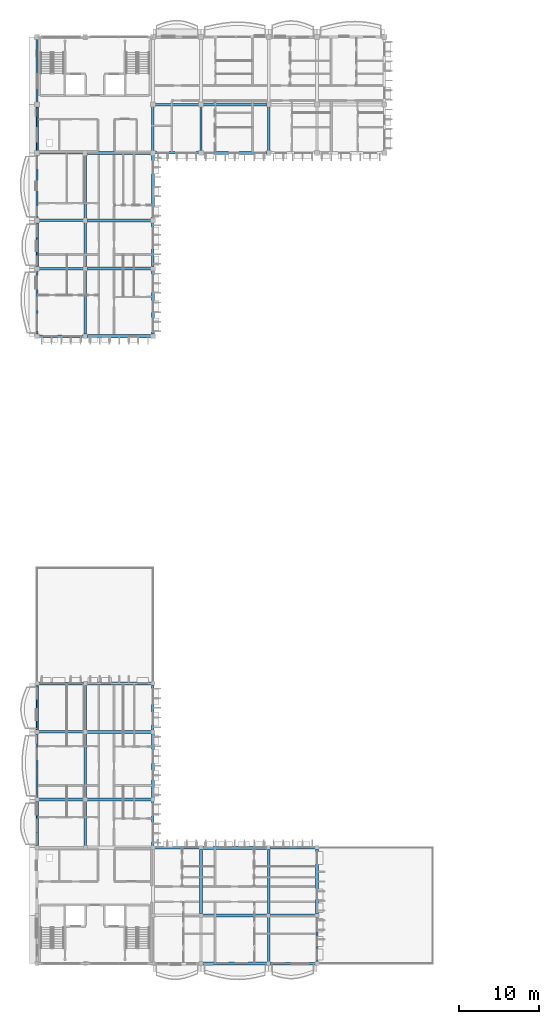
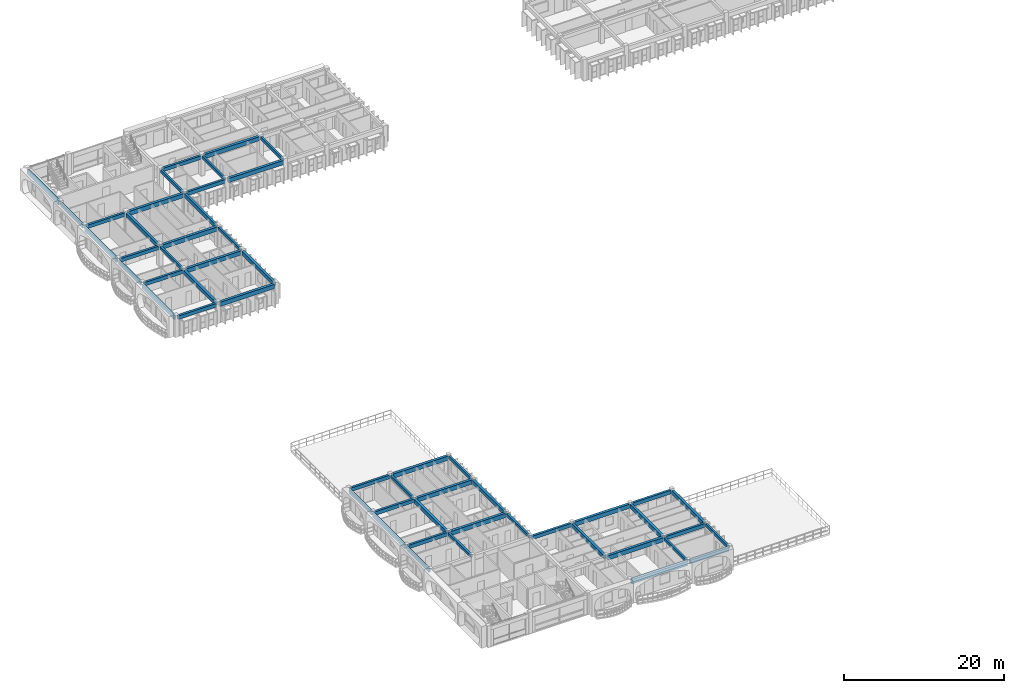
# One storey, part 4 of 59: 53 beams.
"""IFC4 building model written with IfcOpenShell, lengths in metres."""

from ifc_helpers import new_model, si_unit, direction, frame, origin, origin_2d, place, context, subcontext, project, spatial, rectangle, extrude, material, material_profile, profile_set, type_object, element, save


model = new_model("IFC4")

# Units and contexts
model_context = context("Model", 3, precision=1e-05, world=origin(), true_north=direction((0.0, 1.0)))
body_context = subcontext(model_context, "Body", "Model", "MODEL_VIEW")
ifc_project = project(units=[si_unit("LENGTHUNIT", "METRE"), si_unit("AREAUNIT", "SQUARE_METRE"), si_unit("VOLUMEUNIT", "CUBIC_METRE"), si_unit("PLANEANGLEUNIT", "RADIAN"), si_unit("MASSUNIT", "GRAM", prefix="KILO"), si_unit("THERMODYNAMICTEMPERATUREUNIT", "KELVIN")], contexts=[model_context])

# Site, building, storey
site_placement = place(None, origin())
site = spatial("IfcSite", under=ifc_project, at=site_placement, CompositionType="ELEMENT")
building_placement = place(site_placement, origin())
building = spatial("IfcBuilding", under=site, at=building_placement, Name="Thalorik Housing Commons", CompositionType="ELEMENT")
storey_placement = place(building_placement, frame((0.0, 0.0, 27.89990234375)))
storey = spatial("IfcBuildingStorey", under=building, at=storey_placement, Name="L08", CompositionType="ELEMENT", Elevation=27.89990234375)

# Beams
ifc_material = material(Name="Precast concrete C40/50", Category="concrete")
ifc_material_profile_1 = material_profile(ifc_material, rectangle(XDim=0.280029296875, YDim=0.449951171875, at=origin_2d()), Name="PC 280x450", Category="concrete")
ifc_profile_set_1 = profile_set([ifc_material_profile_1], Name="Precast concrete C40/50")
beam_type_1 = type_object("IfcBeamType", Name="STR-BM-PC280x450", PredefinedType="BEAM", material=ifc_profile_set_1)
for number, where, z_axis, x_axis, name in (
    (1, (14.39990234375, 23.0, 2.815185546875), (0.0, 1.0, 0.0), (-1.0, 0.0, 0.0), "L08 Beam B-450"),
    (2, (14.39990234375, 37.39990234375, 2.815185546875), (0.0, 1.0, 0.0), (-1.0, 0.0, 0.0), "L08 Beam B-450"),
):
    element("IfcBeam", number, at=place(storey_placement, frame(where, z_axis=z_axis, x_axis=x_axis)), inside=storey, type_object=beam_type_1, Name=name, PredefinedType="BEAM", context=body_context, shape_type="SweptSolid", body=[
        extrude(rectangle(XDim=0.280029296875, YDim=0.449951171875, at=origin_2d()), origin(), (0.0, 0.0, 1.0), 5.60009765625),
    ])
beam_1_placement = place(storey_placement, frame((14.39990234375, 95.050048828125, 2.815185546875), z_axis=(0.0, 1.0, 0.0), x_axis=(-1.0, 0.0, 0.0)))
element("IfcBeam", 3, at=beam_1_placement, inside=storey, type_object=beam_type_1, Name="L08 Beam B-450", PredefinedType="BEAM", context=body_context, shape_type="SweptSolid", body=[
    extrude(rectangle(XDim=0.280029296875, YDim=0.449951171875, at=origin_2d()), origin(), (0.0, 0.0, 1.0), 5.5),
])
for number, where, z_axis, x_axis, name in (
    (4, (22.800048828125, 23.0, 2.815185546875), (0.0, 1.0, 0.0), (-1.0, 0.0, 0.0), "L08 Beam B-450"),
    (5, (22.800048828125, 37.39990234375, 2.815185546875), (0.0, 1.0, 0.0), (-1.0, 0.0, 0.0), "L08 Beam B-450"),
):
    element("IfcBeam", number, at=place(storey_placement, frame(where, z_axis=z_axis, x_axis=x_axis)), inside=storey, type_object=beam_type_1, Name=name, PredefinedType="BEAM", context=body_context, shape_type="SweptSolid", body=[
        extrude(rectangle(XDim=0.280029296875, YDim=0.449951171875, at=origin_2d()), origin(), (0.0, 0.0, 1.0), 5.60009765625),
    ])
for number, where, z_axis, x_axis, name in (
    (6, (22.800048828125, 95.050048828125, 2.815185546875), (0.0, 1.0, 0.0), (-1.0, 0.0, 0.0), "L08 Beam B-450"),
    (7, (22.800048828125, 109.449951171875, 2.815185546875), (0.0, 1.0, 0.0), (-1.0, 0.0, 0.0), "L08 Beam B-450"),
    (8, (28.800048828125, 109.449951171875, 2.815185546875), (0.0, 1.0, 0.0), (-1.0, 0.0, 0.0), "L08 Beam B-450"),
):
    element("IfcBeam", number, at=place(storey_placement, frame(where, z_axis=z_axis, x_axis=x_axis)), inside=storey, type_object=beam_type_1, Name=name, PredefinedType="BEAM", context=body_context, shape_type="SweptSolid", body=[
        extrude(rectangle(XDim=0.280029296875, YDim=0.449951171875, at=origin_2d()), origin(), (0.0, 0.0, 1.0), 5.5),
    ])
beam_2_placement = place(storey_placement, frame((37.199951171875, 8.60009765625, 2.815185546875), z_axis=(0.0, 1.0, 0.0), x_axis=(-1.0, 0.0, 0.0)))
element("IfcBeam", 9, at=beam_2_placement, inside=storey, type_object=beam_type_1, Name="L08 Beam B-450", PredefinedType="BEAM", context=body_context, shape_type="SweptSolid", body=[
    extrude(rectangle(XDim=0.280029296875, YDim=0.449951171875, at=origin_2d()), origin(), (0.0, 0.0, 1.0), 5.599853515625),
])
beam_3_placement = place(storey_placement, frame((37.199951171875, 109.449951171875, 2.815185546875), z_axis=(0.0, 1.0, 0.0), x_axis=(-1.0, 0.0, 0.0)))
element("IfcBeam", 10, at=beam_3_placement, inside=storey, type_object=beam_type_1, Name="L08 Beam B-450", PredefinedType="BEAM", context=body_context, shape_type="SweptSolid", body=[
    extrude(rectangle(XDim=0.280029296875, YDim=0.449951171875, at=origin_2d()), origin(), (0.0, 0.0, 1.0), 5.5),
])
beam_4_placement = place(storey_placement, frame((43.199951171875, 8.60009765625, 2.815185546875), z_axis=(0.0, 1.0, 0.0), x_axis=(-1.0, 0.0, 0.0)))
element("IfcBeam", 11, at=beam_4_placement, inside=storey, type_object=beam_type_1, Name="L08 Beam B-450", PredefinedType="BEAM", context=body_context, shape_type="SweptSolid", body=[
    extrude(rectangle(XDim=0.280029296875, YDim=0.449951171875, at=origin_2d()), origin(), (0.0, 0.0, 1.0), 5.599853515625),
])
ifc_material_profile_2 = material_profile(ifc_material, rectangle(XDim=0.320068359375, YDim=0.550048828125, at=origin_2d()), Name="PC 320x550", Category="concrete")
ifc_profile_set_2 = profile_set([ifc_material_profile_2], Name="Precast concrete C40/50")
beam_type_2 = type_object("IfcBeamType", Name="STR-BM-PC320x550", PredefinedType="BEAM", material=ifc_profile_set_2)
for number, where, z_axis, x_axis, name in (
    (12, (37.39990234375, 8.39990234375, 2.76513671875), (1.0, 0.0, 0.0), (0.0, 1.0, 0.0), "L08 Beam B-550"),
    (13, (37.39990234375, 14.39990234375, 2.76513671875), (1.0, 0.0, 0.0), (0.0, 1.0, 0.0), "L08 Beam B-550"),
    (14, (23.0, 22.800048828125, 2.76513671875), (1.0, 0.0, 0.0), (0.0, 1.0, 0.0), "L08 Beam B-550"),
    (15, (37.39990234375, 22.800048828125, 2.76513671875), (1.0, 0.0, 0.0), (0.0, 1.0, 0.0), "L08 Beam B-550"),
):
    element("IfcBeam", number, at=place(storey_placement, frame(where, z_axis=z_axis, x_axis=x_axis)), inside=storey, type_object=beam_type_2, Name=name, PredefinedType="BEAM", context=body_context, shape_type="SweptSolid", body=[
        extrude(rectangle(XDim=0.320068359375, YDim=0.550048828125, at=origin_2d()), origin(), (0.0, 0.0, 1.0), 5.60009765625),
    ])
for number, where, z_axis, x_axis, name in (
    (16, (8.60009765625, 28.800048828125, 2.76513671875), (1.0, 0.0, 0.0), (0.0, 1.0, 0.0), "L08 Beam B-550"),
    (17, (8.60009765625, 37.199951171875, 2.76513671875), (1.0, 0.0, 0.0), (0.0, 1.0, 0.0), "L08 Beam B-550"),
    (18, (8.60009765625, 43.199951171875, 2.76513671875), (1.0, 0.0, 0.0), (0.0, 1.0, 0.0), "L08 Beam B-550"),
):
    element("IfcBeam", number, at=place(storey_placement, frame(where, z_axis=z_axis, x_axis=x_axis)), inside=storey, type_object=beam_type_2, Name=name, PredefinedType="BEAM", context=body_context, shape_type="SweptSolid", body=[
        extrude(rectangle(XDim=0.320068359375, YDim=0.550048828125, at=origin_2d()), origin(), (0.0, 0.0, 1.0), 5.599853515625),
    ])
for number, where, z_axis, x_axis, name in (
    (19, (8.64990234375, 86.39990234375, 2.76513671875), (1.0, 0.0, 0.0), (0.0, 1.0, 0.0), "L08 Beam B-550"),
    (20, (8.64990234375, 94.800048828125, 2.76513671875), (1.0, 0.0, 0.0), (0.0, 1.0, 0.0), "L08 Beam B-550"),
    (21, (8.64990234375, 100.800048828125, 2.76513671875), (1.0, 0.0, 0.0), (0.0, 1.0, 0.0), "L08 Beam B-550"),
    (22, (8.64990234375, 109.199951171875, 2.76513671875), (1.0, 0.0, 0.0), (0.0, 1.0, 0.0), "L08 Beam B-550"),
    (23, (23.050048828125, 109.199951171875, 2.76513671875), (1.0, 0.0, 0.0), (0.0, 1.0, 0.0), "L08 Beam B-550"),
    (24, (23.050048828125, 115.199951171875, 2.76513671875), (1.0, 0.0, 0.0), (0.0, 1.0, 0.0), "L08 Beam B-550"),
):
    element("IfcBeam", number, at=place(storey_placement, frame(where, z_axis=z_axis, x_axis=x_axis)), inside=storey, type_object=beam_type_2, Name=name, PredefinedType="BEAM", context=body_context, shape_type="SweptSolid", body=[
        extrude(rectangle(XDim=0.320068359375, YDim=0.550048828125, at=origin_2d()), origin(), (0.0, 0.0, 1.0), 5.5),
    ])
ifc_material_profile_3 = material_profile(ifc_material, rectangle(XDim=0.35009765625, YDim=0.60009765625, at=origin_2d()), Name="PC 350x600", Category="concrete")
ifc_profile_set_3 = profile_set([ifc_material_profile_3], Name="Precast concrete C40/50")
beam_type_3 = type_object("IfcBeamType", Name="STR-BM-PC350x600", PredefinedType="BEAM", material=ifc_profile_set_3)
beam_5_placement = place(storey_placement, frame((14.39990234375, 29.0, 2.739990234375), z_axis=(0.0, 1.0, 0.0), x_axis=(-1.0, 0.0, 0.0)))
element("IfcBeam", 25, at=beam_5_placement, inside=storey, type_object=beam_type_3, Name="L08 Beam B-600", PredefinedType="BEAM", context=body_context, shape_type="SweptSolid", body=[
    extrude(rectangle(XDim=0.35009765625, YDim=0.60009765625, at=origin_2d()), origin(), (0.0, 0.0, 1.0), 8.0),
])
beam_6_placement = place(storey_placement, frame((14.39990234375, 86.64990234375, 2.739990234375), z_axis=(0.0, 1.0, 0.0), x_axis=(-1.0, 0.0, 0.0)))
element("IfcBeam", 26, at=beam_6_placement, inside=storey, type_object=beam_type_3, Name="L08 Beam B-600", PredefinedType="BEAM", context=body_context, shape_type="SweptSolid", body=[
    extrude(rectangle(XDim=0.35009765625, YDim=0.60009765625, at=origin_2d()), origin(), (0.0, 0.0, 1.0), 7.900146484375),
])
beam_7_placement = place(storey_placement, frame((14.39990234375, 101.050048828125, 2.739990234375), z_axis=(0.0, 1.0, 0.0), x_axis=(-1.0, 0.0, 0.0)))
element("IfcBeam", 27, at=beam_7_placement, inside=storey, type_object=beam_type_3, Name="L08 Beam B-600", PredefinedType="BEAM", context=body_context, shape_type="SweptSolid", body=[
    extrude(rectangle(XDim=0.35009765625, YDim=0.60009765625, at=origin_2d()), origin(), (0.0, 0.0, 1.0), 7.89990234375),
])
beam_8_placement = place(storey_placement, frame((22.800048828125, 29.0, 2.739990234375), z_axis=(0.0, 1.0, 0.0), x_axis=(-1.0, 0.0, 0.0)))
element("IfcBeam", 28, at=beam_8_placement, inside=storey, type_object=beam_type_3, Name="L08 Beam B-600", PredefinedType="BEAM", context=body_context, shape_type="SweptSolid", body=[
    extrude(rectangle(XDim=0.35009765625, YDim=0.60009765625, at=origin_2d()), origin(), (0.0, 0.0, 1.0), 8.0),
])
beam_9_placement = place(storey_placement, frame((22.800048828125, 86.64990234375, 2.739990234375), z_axis=(0.0, 1.0, 0.0), x_axis=(-1.0, 0.0, 0.0)))
element("IfcBeam", 29, at=beam_9_placement, inside=storey, type_object=beam_type_3, Name="L08 Beam B-600", PredefinedType="BEAM", context=body_context, shape_type="SweptSolid", body=[
    extrude(rectangle(XDim=0.35009765625, YDim=0.60009765625, at=origin_2d()), origin(), (0.0, 0.0, 1.0), 7.900146484375),
])
beam_10_placement = place(storey_placement, frame((22.800048828125, 101.050048828125, 2.739990234375), z_axis=(0.0, 1.0, 0.0), x_axis=(-1.0, 0.0, 0.0)))
element("IfcBeam", 30, at=beam_10_placement, inside=storey, type_object=beam_type_3, Name="L08 Beam B-600", PredefinedType="BEAM", context=body_context, shape_type="SweptSolid", body=[
    extrude(rectangle(XDim=0.35009765625, YDim=0.60009765625, at=origin_2d()), origin(), (0.0, 0.0, 1.0), 7.89990234375),
])
for number, where, z_axis, x_axis, name in (
    (31, (28.800048828125, 14.60009765625, 2.739990234375), (0.0, 1.0, 0.0), (-1.0, 0.0, 0.0), "L08 Beam B-600"),
    (32, (37.199951171875, 14.60009765625, 2.739990234375), (0.0, 1.0, 0.0), (-1.0, 0.0, 0.0), "L08 Beam B-600"),
    (33, (43.199951171875, 14.60009765625, 2.739990234375), (0.0, 1.0, 0.0), (-1.0, 0.0, 0.0), "L08 Beam B-600"),
):
    element("IfcBeam", number, at=place(storey_placement, frame(where, z_axis=z_axis, x_axis=x_axis)), inside=storey, type_object=beam_type_3, Name=name, PredefinedType="BEAM", context=body_context, shape_type="SweptSolid", body=[
        extrude(rectangle(XDim=0.35009765625, YDim=0.60009765625, at=origin_2d()), origin(), (0.0, 0.0, 1.0), 8.0),
    ])
ifc_material_profile_4 = material_profile(ifc_material, rectangle(XDim=0.3798828125, YDim=0.64990234375, at=origin_2d()), Name="PC 380x650", Category="concrete")
ifc_profile_set_4 = profile_set([ifc_material_profile_4], Name="Precast concrete C40/50")
beam_type_4 = type_object("IfcBeamType", Name="STR-BM-PC380x650", PredefinedType="BEAM", material=ifc_profile_set_4)
for number, where, z_axis, x_axis, name in (
    (34, (29.0, 8.39990234375, 2.715087890625), (1.0, 0.0, 0.0), (0.0, 1.0, 0.0), "L08 Beam B-650"),
    (35, (29.0, 14.39990234375, 2.715087890625), (1.0, 0.0, 0.0), (0.0, 1.0, 0.0), "L08 Beam B-650"),
    (36, (29.0, 22.800048828125, 2.715087890625), (1.0, 0.0, 0.0), (0.0, 1.0, 0.0), "L08 Beam B-650"),
    (37, (14.60009765625, 28.800048828125, 2.715087890625), (1.0, 0.0, 0.0), (0.0, 1.0, 0.0), "L08 Beam B-650"),
    (38, (14.60009765625, 37.199951171875, 2.715087890625), (1.0, 0.0, 0.0), (0.0, 1.0, 0.0), "L08 Beam B-650"),
    (39, (14.60009765625, 43.199951171875, 2.715087890625), (1.0, 0.0, 0.0), (0.0, 1.0, 0.0), "L08 Beam B-650"),
):
    element("IfcBeam", number, at=place(storey_placement, frame(where, z_axis=z_axis, x_axis=x_axis)), inside=storey, type_object=beam_type_4, Name=name, PredefinedType="BEAM", context=body_context, shape_type="SweptSolid", body=[
        extrude(rectangle(XDim=0.3798828125, YDim=0.64990234375, at=origin_2d()), origin(), (0.0, 0.0, 1.0), 8.0),
    ])
for number, where, z_axis, x_axis, name in (
    (40, (14.64990234375, 86.39990234375, 2.715087890625), (1.0, 0.0, 0.0), (0.0, 1.0, 0.0), "L08 Beam B-650"),
    (41, (14.64990234375, 94.800048828125, 2.715087890625), (1.0, 0.0, 0.0), (0.0, 1.0, 0.0), "L08 Beam B-650"),
    (42, (14.64990234375, 100.800048828125, 2.715087890625), (1.0, 0.0, 0.0), (0.0, 1.0, 0.0), "L08 Beam B-650"),
    (43, (14.64990234375, 109.199951171875, 2.715087890625), (1.0, 0.0, 0.0), (0.0, 1.0, 0.0), "L08 Beam B-650"),
):
    element("IfcBeam", number, at=place(storey_placement, frame(where, z_axis=z_axis, x_axis=x_axis)), inside=storey, type_object=beam_type_4, Name=name, PredefinedType="BEAM", context=body_context, shape_type="SweptSolid", body=[
        extrude(rectangle(XDim=0.3798828125, YDim=0.64990234375, at=origin_2d()), origin(), (0.0, 0.0, 1.0), 7.900146484375),
    ])
for number, where, z_axis, x_axis, name in (
    (44, (29.050048828125, 109.199951171875, 2.715087890625), (1.0, 0.0, 0.0), (0.0, 1.0, 0.0), "L08 Beam B-650"),
    (45, (29.050048828125, 115.199951171875, 2.715087890625), (1.0, 0.0, 0.0), (0.0, 1.0, 0.0), "L08 Beam B-650"),
):
    element("IfcBeam", number, at=place(storey_placement, frame(where, z_axis=z_axis, x_axis=x_axis)), inside=storey, type_object=beam_type_4, Name=name, PredefinedType="BEAM", context=body_context, shape_type="SweptSolid", body=[
        extrude(rectangle(XDim=0.3798828125, YDim=0.64990234375, at=origin_2d()), origin(), (0.0, 0.0, 1.0), 7.89990234375),
    ])
ifc_material_profile_5 = material_profile(ifc_material, rectangle(XDim=0.239990234375, YDim=0.580078125, at=origin_2d()), Name="PC SP 240x580", Category="concrete")
ifc_profile_set_5 = profile_set([ifc_material_profile_5], Name="Precast concrete C40/50")
beam_type_5 = type_object("IfcBeamType", Name="STR-SP-PC240x580", PredefinedType="SPANDREL", material=ifc_profile_set_5)
for number, where, z_axis, x_axis, name in (
    (46, (8.39990234375, 23.0, 2.75), (0.0, 1.0, 0.0), (-1.0, 0.0, 0.0), "L08 Beam B-450"),
    (47, (8.39990234375, 37.39990234375, 2.75), (0.0, 1.0, 0.0), (-1.0, 0.0, 0.0), "L08 Beam B-450"),
):
    element("IfcBeam", number, at=place(storey_placement, frame(where, z_axis=z_axis, x_axis=x_axis)), inside=storey, type_object=beam_type_5, Name=name, PredefinedType="SPANDREL", context=body_context, shape_type="SweptSolid", body=[
        extrude(rectangle(XDim=0.239990234375, YDim=0.580078125, at=origin_2d()), origin(), (0.0, 0.0, 1.0), 5.60009765625),
    ])
for number, where, z_axis, x_axis, name in (
    (48, (8.39990234375, 95.050048828125, 2.75), (0.0, 1.0, 0.0), (-1.0, 0.0, 0.0), "L08 Beam B-450"),
    (49, (8.39990234375, 109.449951171875, 2.75), (0.0, 1.0, 0.0), (-1.0, 0.0, 0.0), "L08 Beam B-450"),
):
    element("IfcBeam", number, at=place(storey_placement, frame(where, z_axis=z_axis, x_axis=x_axis)), inside=storey, type_object=beam_type_5, Name=name, PredefinedType="SPANDREL", context=body_context, shape_type="SweptSolid", body=[
        extrude(rectangle(XDim=0.239990234375, YDim=0.580078125, at=origin_2d()), origin(), (0.0, 0.0, 1.0), 5.5),
    ])
ifc_material_profile_6 = material_profile(ifc_material, rectangle(XDim=0.260009765625, YDim=0.679931640625, at=origin_2d()), Name="PC SP 260x680", Category="concrete")
ifc_profile_set_6 = profile_set([ifc_material_profile_6], Name="Precast concrete C40/50")
beam_type_6 = type_object("IfcBeamType", Name="STR-SP-PC260x680", PredefinedType="SPANDREL", material=ifc_profile_set_6)
beam_11_placement = place(storey_placement, frame((8.39990234375, 29.0, 2.7001953125), z_axis=(0.0, 1.0, 0.0), x_axis=(-1.0, 0.0, 0.0)))
element("IfcBeam", 50, at=beam_11_placement, inside=storey, type_object=beam_type_6, Name="L08 Beam B-600", PredefinedType="SPANDREL", context=body_context, shape_type="SweptSolid", body=[
    extrude(rectangle(XDim=0.260009765625, YDim=0.679931640625, at=origin_2d()), origin(), (0.0, 0.0, 1.0), 8.0),
])
beam_12_placement = place(storey_placement, frame((8.39990234375, 86.64990234375, 2.7001953125), z_axis=(0.0, 1.0, 0.0), x_axis=(-1.0, 0.0, 0.0)))
element("IfcBeam", 51, at=beam_12_placement, inside=storey, type_object=beam_type_6, Name="L08 Beam B-600", PredefinedType="SPANDREL", context=body_context, shape_type="SweptSolid", body=[
    extrude(rectangle(XDim=0.260009765625, YDim=0.679931640625, at=origin_2d()), origin(), (0.0, 0.0, 1.0), 7.900146484375),
])
beam_13_placement = place(storey_placement, frame((8.39990234375, 101.050048828125, 2.7001953125), z_axis=(0.0, 1.0, 0.0), x_axis=(-1.0, 0.0, 0.0)))
element("IfcBeam", 52, at=beam_13_placement, inside=storey, type_object=beam_type_6, Name="L08 Beam B-600", PredefinedType="SPANDREL", context=body_context, shape_type="SweptSolid", body=[
    extrude(rectangle(XDim=0.260009765625, YDim=0.679931640625, at=origin_2d()), origin(), (0.0, 0.0, 1.0), 7.89990234375),
])
beam_14_placement = place(storey_placement, frame((8.39990234375, 115.449951171875, 2.7001953125), z_axis=(0.0, 1.0, 0.0), x_axis=(-1.0, 0.0, 0.0)))
element("IfcBeam", 53, at=beam_14_placement, inside=storey, type_object=beam_type_6, Name="L08 Beam B-600", PredefinedType="SPANDREL", context=body_context, shape_type="SweptSolid", body=[
    extrude(rectangle(XDim=0.260009765625, YDim=0.679931640625, at=origin_2d()), origin(), (0.0, 0.0, 1.0), 7.900146484375),
])

save(model, "model.ifc")
